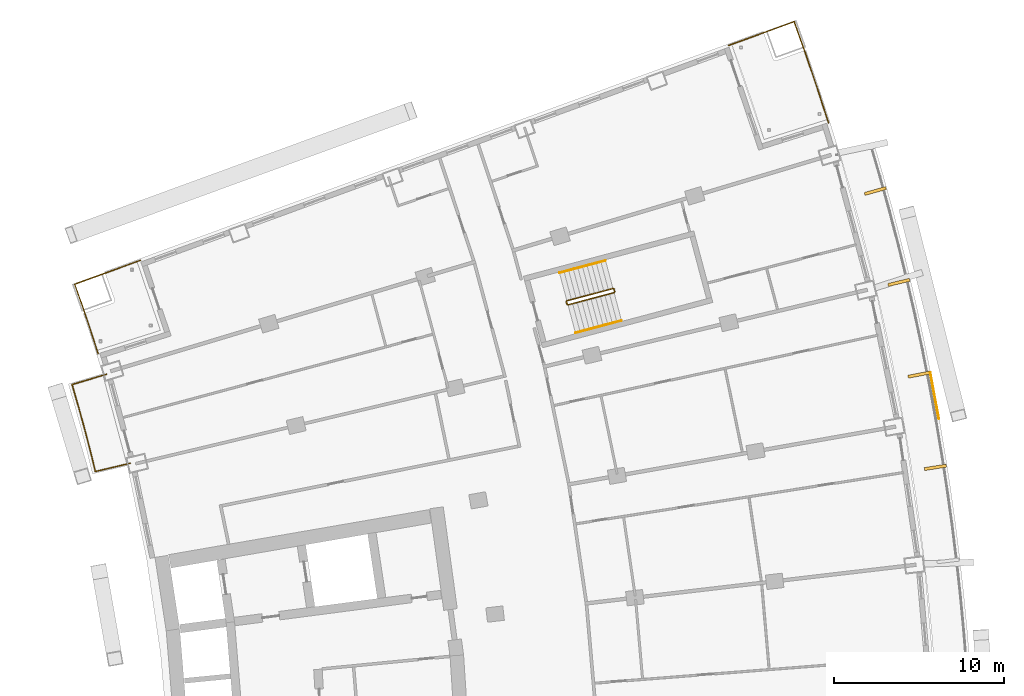
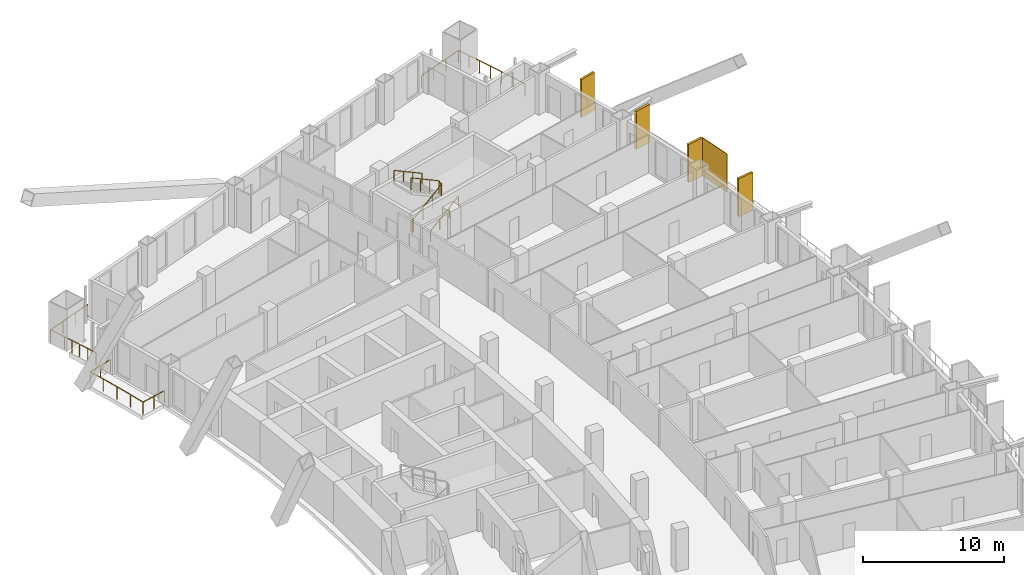
# One storey, part 25 of 25: 6 railings, 5 shading devices.
"""IFC4 building model written with IfcOpenShell, lengths in metres."""

from ifc_helpers import new_model, si_unit, direction, frame, origin, origin_2d, place, context, subcontext, project, spatial, rectangle, extrude, material, layer, layer_set, type_object, element, save


model = new_model("IFC4")

# Units and contexts
model_context = context("Model", 3, precision=1e-05, world=origin(), true_north=direction((0.0, 1.0)))
body_context = subcontext(model_context, "Body", "Model", "MODEL_VIEW")
ifc_project = project(units=[si_unit("LENGTHUNIT", "METRE"), si_unit("AREAUNIT", "SQUARE_METRE"), si_unit("VOLUMEUNIT", "CUBIC_METRE"), si_unit("PLANEANGLEUNIT", "RADIAN"), si_unit("MASSUNIT", "GRAM", prefix="KILO")], contexts=[model_context])

# Site, building, storey
site_placement = place(None, origin())
site = spatial("IfcSite", under=ifc_project, at=site_placement, CompositionType="ELEMENT")
building_placement = place(site_placement, origin())
building = spatial("IfcBuilding", under=site, at=building_placement, Name="Alderwake Tower", CompositionType="ELEMENT")
storey_placement = place(building_placement, frame((0.0, 0.0, 114.800048828125)))
storey = spatial("IfcBuildingStorey", under=building, at=storey_placement, Name="L28", CompositionType="ELEMENT", Elevation=114.800048828125)

# Railings
ifc_material_1 = material(Name="Stainless steel 316 rail and posts", Category="steel")
railing_type_1 = type_object("IfcRailingType", Name="Balcony guard 1100", PredefinedType="GUARDRAIL", material=ifc_material_1)
railing_1_placement = place(storey_placement, frame((13.5693359375, 83.343017578125, 0.0)))
element("IfcRailing", 1, at=railing_1_placement, inside=storey, type_object=railing_type_1, Name="Guard BR11", PredefinedType="GUARDRAIL", context=body_context, shape_type="SweptSolid", body=[
    extrude(rectangle(XDim=0.048095703125, YDim=0.048095703125, at=origin_2d()), frame((0.0, 0.0, 1.076171875), z_axis=(-0.972646310656, -0.232291098337, 0.0), x_axis=(0.232291098337, -0.972646310656, 0.0)), (0.0, 0.0, 1.0), 2.099853515625),
    extrude(rectangle(XDim=0.048095703125, YDim=0.048095703125, at=origin_2d()), frame((-2.04248046875, -0.48779296875, 1.076171875), z_axis=(-0.238877101641, 0.971049808358, 0.0), x_axis=(-0.971049808358, -0.238877101641, 0.0)), (0.0, 0.0, 1.0), 1.2724609375),
    extrude(rectangle(XDim=0.048095703125, YDim=0.048095703125, at=origin_2d()), frame((-2.346435546875, 0.747802734375, 1.076171875), z_axis=(-0.252487086228, 0.967600264204, 0.0), x_axis=(-0.967600264204, -0.252487086228, 0.0)), (0.0, 0.0, 1.0), 1.3720703125),
    extrude(rectangle(XDim=0.048095703125, YDim=0.048095703125, at=origin_2d()), frame((-2.69287109375, 2.075439453125, 1.076171875), z_axis=(-0.266487604617, 0.963838345671, 0.0), x_axis=(-0.963838345671, -0.266487604617, 0.0)), (0.0, 0.0, 1.0), 1.372314453125),
    extrude(rectangle(XDim=0.048095703125, YDim=0.048095703125, at=origin_2d()), frame((-3.05859375, 3.398193359375, 1.076171875), z_axis=(-0.279963157487, 0.960010744966, 0.0), x_axis=(-0.960010744966, -0.279963157487, 0.0)), (0.0, 0.0, 1.0), 1.272216796875),
    extrude(rectangle(XDim=0.048095703125, YDim=0.048095703125, at=origin_2d()), frame((-3.414794921875, 4.61962890625, 1.076171875), z_axis=(0.958091458885, 0.286462486918, 0.0), x_axis=(-0.286462486918, 0.958091458885, 0.0)), (0.0, 0.0, 1.0), 2.099853515625),
    extrude(rectangle(XDim=0.0419921875, YDim=0.0419921875, at=origin_2d()), frame((0.0, 0.0, 0.0), z_axis=(0.0, 0.0, 1.0), x_axis=(-0.972646310656, -0.232291098337, 0.0)), (0.0, 0.0, 1.0), 1.052001953125),
    extrude(rectangle(XDim=0.0419921875, YDim=0.0419921875, at=origin_2d()), frame((-1.021240234375, -0.243896484375, 0.0), z_axis=(0.0, 0.0, 1.0), x_axis=(-0.972646310656, -0.232291098337, 0.0)), (0.0, 0.0, 1.0), 1.052001953125),
    extrude(rectangle(XDim=0.0419921875, YDim=0.0419921875, at=origin_2d()), frame((-2.04248046875, -0.48779296875, 0.0), z_axis=(0.0, 0.0, 1.0), x_axis=(-0.238877101641, 0.971049808358, 0.0)), (0.0, 0.0, 1.0), 1.052001953125),
    extrude(rectangle(XDim=0.0419921875, YDim=0.0419921875, at=origin_2d()), frame((-2.346435546875, 0.747802734375, 0.0), z_axis=(0.0, 0.0, 1.0), x_axis=(-0.252487086228, 0.967600264204, 0.0)), (0.0, 0.0, 1.0), 1.052001953125),
    extrude(rectangle(XDim=0.0419921875, YDim=0.0419921875, at=origin_2d()), frame((-2.69287109375, 2.075439453125, 0.0), z_axis=(0.0, 0.0, 1.0), x_axis=(-0.266487604617, 0.963838345671, 0.0)), (0.0, 0.0, 1.0), 1.052001953125),
    extrude(rectangle(XDim=0.0419921875, YDim=0.0419921875, at=origin_2d()), frame((-3.05859375, 3.398193359375, 0.0), z_axis=(0.0, 0.0, 1.0), x_axis=(-0.279963157487, 0.960010744966, 0.0)), (0.0, 0.0, 1.0), 1.052001953125),
    extrude(rectangle(XDim=0.0419921875, YDim=0.0419921875, at=origin_2d()), frame((-3.414794921875, 4.61962890625, 0.0), z_axis=(0.0, 0.0, 1.0), x_axis=(0.958091458885, 0.286462486918, 0.0)), (0.0, 0.0, 1.0), 1.052001953125),
    extrude(rectangle(XDim=0.0419921875, YDim=0.0419921875, at=origin_2d()), frame((-2.40869140625, 4.92041015625, 0.0), z_axis=(0.0, 0.0, 1.0), x_axis=(0.958091458885, 0.286462486918, 0.0)), (0.0, 0.0, 1.0), 1.052001953125),
    extrude(rectangle(XDim=0.0419921875, YDim=0.0419921875, at=origin_2d()), frame((-1.40283203125, 5.22119140625, 0.0), z_axis=(0.0, 0.0, 1.0), x_axis=(0.958091458885, 0.286462486918, 0.0)), (0.0, 0.0, 1.0), 1.052001953125),
])
railing_2_placement = place(storey_placement, frame((54.594970703125, 103.348876953125, 0.0)))
element("IfcRailing", 2, at=railing_2_placement, inside=storey, type_object=railing_type_1, Name="Guard terrace FN", PredefinedType="GUARDRAIL", context=body_context, shape_type="SweptSolid", body=[
    extrude(rectangle(XDim=0.048095703125, YDim=0.048095703125, at=origin_2d()), frame((0.0, 0.0, 1.076171875), z_axis=(-0.307779974329, 0.951457559433, 0.0), x_axis=(-0.951457559433, -0.307779974329, 0.0)), (0.0, 0.0, 1.0), 2.257568359375),
    extrude(rectangle(XDim=0.048095703125, YDim=0.048095703125, at=origin_2d()), frame((-0.69482421875, 2.14794921875, 1.076171875), z_axis=(-0.322236651578, 0.946659146884, 0.0), x_axis=(-0.946659146884, -0.322236651578, 0.0)), (0.0, 0.0, 1.0), 2.057861328125),
    extrude(rectangle(XDim=0.048095703125, YDim=0.048095703125, at=origin_2d()), frame((-1.35791015625, 4.095947265625, 1.076171875), z_axis=(-0.335838646603, 0.941919531302, 0.0), x_axis=(-0.941919531302, -0.335838646603, 0.0)), (0.0, 0.0, 1.0), 1.957763671875),
    extrude(rectangle(XDim=0.048095703125, YDim=0.048095703125, at=origin_2d()), frame((-2.015380859375, 5.93994140625, 1.076171875), z_axis=(-0.939617696184, -0.342225926863, 0.0), x_axis=(0.342225926863, -0.939617696184, 0.0)), (0.0, 0.0, 1.0), 4.099853515625),
    extrude(rectangle(XDim=0.0419921875, YDim=0.0419921875, at=origin_2d()), frame((0.0, 0.0, 0.0), z_axis=(0.0, 0.0, 1.0), x_axis=(-0.307779974329, 0.951457559433, 0.0)), (0.0, 0.0, 1.0), 1.052001953125),
    extrude(rectangle(XDim=0.0419921875, YDim=0.0419921875, at=origin_2d()), frame((-0.347412109375, 1.073974609375, 0.0), z_axis=(0.0, 0.0, 1.0), x_axis=(-0.307779974329, 0.951457559433, 0.0)), (0.0, 0.0, 1.0), 1.052001953125),
    extrude(rectangle(XDim=0.0419921875, YDim=0.0419921875, at=origin_2d()), frame((-0.69482421875, 2.14794921875, 0.0), z_axis=(0.0, 0.0, 1.0), x_axis=(-0.322236651578, 0.946659146884, 0.0)), (0.0, 0.0, 1.0), 1.052001953125),
    extrude(rectangle(XDim=0.0419921875, YDim=0.0419921875, at=origin_2d()), frame((-1.0263671875, 3.1220703125, 0.0), z_axis=(0.0, 0.0, 1.0), x_axis=(-0.322236651578, 0.946659146884, 0.0)), (0.0, 0.0, 1.0), 1.052001953125),
    extrude(rectangle(XDim=0.0419921875, YDim=0.0419921875, at=origin_2d()), frame((-1.35791015625, 4.095947265625, 0.0), z_axis=(0.0, 0.0, 1.0), x_axis=(-0.335838646603, 0.941919531302, 0.0)), (0.0, 0.0, 1.0), 1.052001953125),
    extrude(rectangle(XDim=0.0419921875, YDim=0.0419921875, at=origin_2d()), frame((-1.6865234375, 5.01806640625, 0.0), z_axis=(0.0, 0.0, 1.0), x_axis=(-0.335838646603, 0.941919531302, 0.0)), (0.0, 0.0, 1.0), 1.052001953125),
    extrude(rectangle(XDim=0.0419921875, YDim=0.0419921875, at=origin_2d()), frame((-2.015380859375, 5.93994140625, 0.0), z_axis=(0.0, 0.0, 1.0), x_axis=(-0.939617696184, -0.342225926863, 0.0)), (0.0, 0.0, 1.0), 1.052001953125),
    extrude(rectangle(XDim=0.0419921875, YDim=0.0419921875, at=origin_2d()), frame((-3.299560546875, 5.47216796875, 0.0), z_axis=(0.0, 0.0, 1.0), x_axis=(-0.939617696184, -0.342225926863, 0.0)), (0.0, 0.0, 1.0), 1.052001953125),
    extrude(rectangle(XDim=0.0419921875, YDim=0.0419921875, at=origin_2d()), frame((-4.58349609375, 5.004638671875, 0.0), z_axis=(0.0, 0.0, 1.0), x_axis=(-0.939617696184, -0.342225926863, 0.0)), (0.0, 0.0, 1.0), 1.052001953125),
    extrude(rectangle(XDim=0.0419921875, YDim=0.0419921875, at=origin_2d()), frame((-5.86767578125, 4.536865234375, 0.0), z_axis=(0.0, 0.0, 1.0), x_axis=(-0.939617696184, -0.342225926863, 0.0)), (0.0, 0.0, 1.0), 1.052001953125),
])
railing_3_placement = place(storey_placement, frame((11.688720703125, 89.781982421875, 0.0)))
element("IfcRailing", 3, at=railing_3_placement, inside=storey, type_object=railing_type_1, Name="Guard terrace RN", PredefinedType="GUARDRAIL", context=body_context, shape_type="SweptSolid", body=[
    extrude(rectangle(XDim=0.048095703125, YDim=0.048095703125, at=origin_2d()), frame((0.0, 0.0, 1.076171875), z_axis=(-0.307479326145, 0.951554761426, 0.0), x_axis=(-0.951554761426, -0.307479326145, 0.0)), (0.0, 0.0, 1.0), 1.6015625),
    extrude(rectangle(XDim=0.048095703125, YDim=0.048095703125, at=origin_2d()), frame((-0.492431640625, 1.52392578125, 1.076171875), z_axis=(-0.322283727344, 0.946643121292, 0.0), x_axis=(-0.946643121292, -0.322283727344, 0.0)), (0.0, 0.0, 1.0), 1.4013671875),
    extrude(rectangle(XDim=0.048095703125, YDim=0.048095703125, at=origin_2d()), frame((-0.944091796875, 2.8505859375, 1.076171875), z_axis=(-0.335468607403, 0.942051385778, 0.0), x_axis=(-0.942051385778, -0.335468607403, 0.0)), (0.0, 0.0, 1.0), 1.30126953125),
    extrude(rectangle(XDim=0.048095703125, YDim=0.048095703125, at=origin_2d()), frame((-1.380615234375, 4.076416015625, 1.076171875), z_axis=(0.939708203232, 0.341977327873, 0.0), x_axis=(-0.341977327873, 0.939708203232, 0.0)), (0.0, 0.0, 1.0), 4.10009765625),
    extrude(rectangle(XDim=0.0419921875, YDim=0.0419921875, at=origin_2d()), frame((0.0, 0.0, 0.0), z_axis=(0.0, 0.0, 1.0), x_axis=(-0.307479326145, 0.951554761426, 0.0)), (0.0, 0.0, 1.0), 1.052001953125),
    extrude(rectangle(XDim=0.0419921875, YDim=0.0419921875, at=origin_2d()), frame((-0.24609375, 0.761962890625, 0.0), z_axis=(0.0, 0.0, 1.0), x_axis=(-0.307479326145, 0.951554761426, 0.0)), (0.0, 0.0, 1.0), 1.052001953125),
    extrude(rectangle(XDim=0.0419921875, YDim=0.0419921875, at=origin_2d()), frame((-0.492431640625, 1.52392578125, 0.0), z_axis=(0.0, 0.0, 1.0), x_axis=(-0.322283727344, 0.946643121292, 0.0)), (0.0, 0.0, 1.0), 1.052001953125),
    extrude(rectangle(XDim=0.0419921875, YDim=0.0419921875, at=origin_2d()), frame((-0.71826171875, 2.187255859375, 0.0), z_axis=(0.0, 0.0, 1.0), x_axis=(-0.322283727344, 0.946643121292, 0.0)), (0.0, 0.0, 1.0), 1.052001953125),
    extrude(rectangle(XDim=0.0419921875, YDim=0.0419921875, at=origin_2d()), frame((-0.944091796875, 2.8505859375, 0.0), z_axis=(0.0, 0.0, 1.0), x_axis=(-0.335468607403, 0.942051385778, 0.0)), (0.0, 0.0, 1.0), 1.052001953125),
    extrude(rectangle(XDim=0.0419921875, YDim=0.0419921875, at=origin_2d()), frame((-1.380615234375, 4.076416015625, 0.0), z_axis=(0.0, 0.0, 1.0), x_axis=(0.939708203232, 0.341977327873, 0.0)), (0.0, 0.0, 1.0), 1.052001953125),
    extrude(rectangle(XDim=0.0419921875, YDim=0.0419921875, at=origin_2d()), frame((-0.096435546875, 4.543701171875, 0.0), z_axis=(0.0, 0.0, 1.0), x_axis=(0.939708203232, 0.341977327873, 0.0)), (0.0, 0.0, 1.0), 1.052001953125),
    extrude(rectangle(XDim=0.0419921875, YDim=0.0419921875, at=origin_2d()), frame((1.18798828125, 5.01123046875, 0.0), z_axis=(0.0, 0.0, 1.0), x_axis=(0.939708203232, 0.341977327873, 0.0)), (0.0, 0.0, 1.0), 1.052001953125),
    extrude(rectangle(XDim=0.0419921875, YDim=0.0419921875, at=origin_2d()), frame((2.47216796875, 5.478515625, 0.0), z_axis=(0.0, 0.0, 1.0), x_axis=(0.939708203232, 0.341977327873, 0.0)), (0.0, 0.0, 1.0), 1.052001953125),
])

# Shading devices
ifc_material_2 = material(Name="Bronze anodised aluminium", Category="aluminium")
ifc_layer_1 = layer(ifc_material_2, 0.179931640625)
ifc_layer_set_1 = layer_set([ifc_layer_1], Name="Facade fin 1300")
shading_device_type_1 = type_object("IfcShadingDeviceType", Name="Facade fin 1300", PredefinedType="USERDEFINED", material=ifc_layer_set_1)
for number, where, z_axis, x_axis, name in (
    (4, (60.877197265625, 83.09912109375, 0.0), (0.0, 0.0, 1.0), (0.987918787879, 0.154972476771, 0.0), "Fin"),
    (5, (59.9140625, 88.547119140625, 0.0), (0.0, 0.0, 1.0), (0.981163751315, 0.193177879441, 0.0), "Fin"),
    (6, (58.73681640625, 93.967529296875, 0.0), (0.0, 0.0, 1.0), (0.972908790564, 0.231189284448, 0.0), "Fin"),
    (7, (57.349609375, 99.338134765625, 0.0), (0.0, 0.0, 1.0), (0.96318180783, 0.268850897459, 0.0), "Fin"),
):
    element("IfcShadingDevice", number, at=place(storey_placement, frame(where, z_axis=z_axis, x_axis=x_axis)), inside=storey, type_object=shading_device_type_1, Name=name, ObjectType="FIN", PredefinedType="USERDEFINED", context=body_context, shape_type="SweptSolid", body=[
        extrude(rectangle(XDim=1.300048828125, YDim=0.179931640625, at=origin_2d()), origin(), (0.0, 0.0, 1.0), 3.280029296875),
    ])
ifc_material_3 = material(Name="Perforated bronze anodised aluminium", Category="aluminium")
ifc_layer_2 = layer(ifc_material_3, 0.050048828125)
ifc_layer_set_2 = layer_set([ifc_layer_2], Name="Perforated screen panel")
shading_device_type_2 = type_object("IfcShadingDeviceType", Name="Perforated screen panel", PredefinedType="USERDEFINED", material=ifc_layer_set_2)
shading_device_placement = place(storey_placement, frame((60.83154296875, 87.3115234375, 0.0), z_axis=(0.0, 0.0, 1.0), x_axis=(0.982991488043, 0.183651121519, 0.0)))
element("IfcShadingDevice", 8, at=shading_device_placement, inside=storey, type_object=shading_device_type_2, Name="Screen panel", ObjectType="SCREEN", PredefinedType="USERDEFINED", context=body_context, shape_type="SweptSolid", body=[
    extrude(rectangle(XDim=0.050048828125, YDim=2.779541015625, at=origin_2d()), origin(), (0.0, 0.0, 1.0), 3.280029296875),
])

# Railings
ifc_material_4 = material(Name="Stainless steel guard", Category="steel")
railing_type_2 = type_object("IfcRailingType", Name="Stair guard 1100", PredefinedType="GUARDRAIL", material=ifc_material_4)
railing_4_placement = place(storey_placement, frame((39.23291015625, 92.6806640625, 0.0)))
element("IfcRailing", 9, at=railing_4_placement, inside=storey, type_object=railing_type_2, Name="L28 ST-A stair guard 1", PredefinedType="GUARDRAIL", context=body_context, shape_type="SweptSolid", body=[
    extrude(rectangle(XDim=0.048095703125, YDim=0.048095703125, at=origin_2d()), frame((0.0, 0.0, 1.076171875), z_axis=(-0.257055032184, 0.966396766566, 0.0), x_axis=(-0.966396766566, -0.257055032184, 0.0)), (0.0, 0.0, 1.0), 0.150146484375),
    extrude(rectangle(XDim=0.048095703125, YDim=0.048095703125, at=origin_2d()), frame((-0.03857421875, 0.14501953125, 1.076171875), z_axis=(0.379370725808, -0.685464465458, 0.621463047167), x_axis=(0.874937996095, 0.484234966715, 0.0)), (0.0, 0.0, 1.0), 0.26318359375),
    extrude(rectangle(XDim=0.048095703125, YDim=0.048095703125, at=origin_2d()), frame((0.061279296875, -0.035400390625, 1.23974609375), z_axis=(0.834258940753, 0.22222815314, 0.504605457487), x_axis=(-0.257402139082, 0.966304371715, 0.0)), (0.0, 0.0, 1.0), 3.2431640625),
    extrude(rectangle(XDim=0.048095703125, YDim=0.048095703125, at=origin_2d()), frame((2.766845703125, 0.685302734375, 2.8759765625), z_axis=(0.500220121494, 0.865898279276, 0.0), x_axis=(-0.865898279276, 0.500220121494, 0.0)), (0.0, 0.0, 1.0), 0.07080078125),
    extrude(rectangle(XDim=0.048095703125, YDim=0.048095703125, at=origin_2d()), frame((2.80224609375, 0.74658203125, 2.8759765625), z_axis=(-0.257459803502, 0.966289009345, 0.0), x_axis=(-0.966289009345, -0.257459803502, 0.0)), (0.0, 0.0, 1.0), 0.14990234375),
    extrude(rectangle(XDim=0.048095703125, YDim=0.048095703125, at=origin_2d()), frame((2.763671875, 0.891357421875, 2.8759765625), z_axis=(-0.34252489212, 0.200034536998, 0.917966710881), x_axis=(-0.504300490226, -0.863528236688, 0.0)), (0.0, 0.0, 1.0), 0.17822265625),
    extrude(rectangle(XDim=0.048095703125, YDim=0.048095703125, at=origin_2d()), frame((2.70263671875, 0.927001953125, 3.03955078125), z_axis=(-0.834313512087, -0.222222637163, 0.504517653885), x_axis=(0.257380452725, -0.966310148221, 0.0)), (0.0, 0.0, 1.0), 3.2431640625),
    extrude(rectangle(XDim=0.0419921875, YDim=0.0419921875, at=origin_2d()), frame((0.0, 0.0, 0.0), z_axis=(0.0, 0.0, 1.0), x_axis=(-0.257055032184, 0.966396766566, 0.0)), (0.0, 0.0, 1.0), 1.052001953125),
    extrude(rectangle(XDim=0.0419921875, YDim=0.0419921875, at=origin_2d()), frame((-0.03857421875, 0.14501953125, 0.0), z_axis=(0.0, 0.0, 1.0), x_axis=(0.484234966715, -0.874937996095, 0.0)), (0.0, 0.0, 1.0), 1.052001953125),
    extrude(rectangle(XDim=0.0419921875, YDim=0.0419921875, at=origin_2d()), frame((0.061279296875, -0.035400390625, 0.16357421875), z_axis=(0.0, 0.0, 1.0), x_axis=(0.966304371715, 0.257402139082, 0.0)), (0.0, 0.0, 1.0), 1.052001953125),
    extrude(rectangle(XDim=0.0419921875, YDim=0.0419921875, at=origin_2d()), frame((0.963134765625, 0.204833984375, 0.708984375), z_axis=(0.0, 0.0, 1.0), x_axis=(0.966304371715, 0.257402139082, 0.0)), (0.0, 0.0, 1.0), 1.052001953125),
    extrude(rectangle(XDim=0.0419921875, YDim=0.0419921875, at=origin_2d()), frame((1.864990234375, 0.445068359375, 1.254638671875), z_axis=(0.0, 0.0, 1.0), x_axis=(0.966304371715, 0.257402139082, 0.0)), (0.0, 0.0, 1.0), 1.052001953125),
    extrude(rectangle(XDim=0.0419921875, YDim=0.0419921875, at=origin_2d()), frame((2.766845703125, 0.685302734375, 1.800048828125), z_axis=(0.0, 0.0, 1.0), x_axis=(0.500220121494, 0.865898279276, 0.0)), (0.0, 0.0, 1.0), 1.052001953125),
    extrude(rectangle(XDim=0.0419921875, YDim=0.0419921875, at=origin_2d()), frame((2.80224609375, 0.74658203125, 1.800048828125), z_axis=(0.0, 0.0, 1.0), x_axis=(-0.257459803502, 0.966289009345, 0.0)), (0.0, 0.0, 1.0), 1.052001953125),
    extrude(rectangle(XDim=0.0419921875, YDim=0.0419921875, at=origin_2d()), frame((2.763671875, 0.891357421875, 1.800048828125), z_axis=(0.0, 0.0, 1.0), x_axis=(-0.863528236688, 0.504300490226, 0.0)), (0.0, 0.0, 1.0), 1.052001953125),
    extrude(rectangle(XDim=0.0419921875, YDim=0.0419921875, at=origin_2d()), frame((2.70263671875, 0.927001953125, 1.963623046875), z_axis=(0.0, 0.0, 1.0), x_axis=(-0.966310148221, -0.257380452725, 0.0)), (0.0, 0.0, 1.0), 1.052001953125),
    extrude(rectangle(XDim=0.0419921875, YDim=0.0419921875, at=origin_2d()), frame((1.80078125, 0.686767578125, 2.509033203125), z_axis=(0.0, 0.0, 1.0), x_axis=(-0.966310148221, -0.257380452725, 0.0)), (0.0, 0.0, 1.0), 1.052001953125),
    extrude(rectangle(XDim=0.0419921875, YDim=0.0419921875, at=origin_2d()), frame((0.898681640625, 0.446533203125, 3.054443359375), z_axis=(0.0, 0.0, 1.0), x_axis=(-0.966310148221, -0.257380452725, 0.0)), (0.0, 0.0, 1.0), 1.052001953125),
    extrude(rectangle(XDim=0.0419921875, YDim=0.0419921875, at=origin_2d()), frame((-0.003173828125, 0.206298828125, 3.599853515625), z_axis=(0.0, 0.0, 1.0), x_axis=(-0.966310148221, -0.257380452725, 0.0)), (0.0, 0.0, 1.0), 1.052001953125),
])
ifc_material_5 = material(Name="Stainless steel handrail", Category="steel")
railing_type_3 = type_object("IfcRailingType", Name="Stair handrail 900", PredefinedType="HANDRAIL", material=ifc_material_5)
railing_5_placement = place(storey_placement, frame((39.731689453125, 91.002685546875, 0.16357421875)))
element("IfcRailing", 10, at=railing_5_placement, inside=storey, type_object=railing_type_3, Name="L28 ST-A stair handrail 1", PredefinedType="HANDRAIL", context=body_context, shape_type="SweptSolid", body=[
    extrude(rectangle(XDim=0.048095703125, YDim=0.048095703125, at=origin_2d()), frame((0.0, 0.0, 0.8759765625), z_axis=(0.834258940753, 0.22222815314, 0.504605457487), x_axis=(-0.257402139082, 0.966304371715, 0.0)), (0.0, 0.0, 1.0), 3.2431640625),
    extrude(rectangle(XDim=0.0419921875, YDim=0.0419921875, at=origin_2d()), frame((0.0, 0.0, 0.0), z_axis=(0.0, 0.0, 1.0), x_axis=(0.966304371715, 0.257402139082, 0.0)), (0.0, 0.0, 1.0), 0.851806640625),
    extrude(rectangle(XDim=0.0419921875, YDim=0.0419921875, at=origin_2d()), frame((0.90185546875, 0.240234375, 0.54541015625), z_axis=(0.0, 0.0, 1.0), x_axis=(0.966304371715, 0.257402139082, 0.0)), (0.0, 0.0, 1.0), 0.851806640625),
    extrude(rectangle(XDim=0.0419921875, YDim=0.0419921875, at=origin_2d()), frame((1.8037109375, 0.48046875, 1.091064453125), z_axis=(0.0, 0.0, 1.0), x_axis=(0.966304371715, 0.257402139082, 0.0)), (0.0, 0.0, 1.0), 0.851806640625),
    extrude(rectangle(XDim=0.0419921875, YDim=0.0419921875, at=origin_2d()), frame((2.70556640625, 0.720703125, 1.636474609375), z_axis=(0.0, 0.0, 1.0), x_axis=(0.966304371715, 0.257402139082, 0.0)), (0.0, 0.0, 1.0), 0.851806640625),
])
railing_6_placement = place(storey_placement, frame((41.497802734375, 95.250244140625, 1.963623046875)))
element("IfcRailing", 11, at=railing_6_placement, inside=storey, type_object=railing_type_3, Name="L28 ST-A stair handrail 2", PredefinedType="HANDRAIL", context=body_context, shape_type="SweptSolid", body=[
    extrude(rectangle(XDim=0.048095703125, YDim=0.048095703125, at=origin_2d()), frame((0.0, 0.0, 0.8759765625), z_axis=(-0.834290631165, -0.222236594766, 0.504549342183), x_axis=(0.257402139082, -0.966304371715, 0.0)), (0.0, 0.0, 1.0), 3.242919921875),
    extrude(rectangle(XDim=0.0419921875, YDim=0.0419921875, at=origin_2d()), frame((0.0, 0.0, 0.0), z_axis=(0.0, 0.0, 1.0), x_axis=(-0.966304371715, -0.257402139082, 0.0)), (0.0, 0.0, 1.0), 0.851806640625),
    extrude(rectangle(XDim=0.0419921875, YDim=0.0419921875, at=origin_2d()), frame((-0.90185546875, -0.240234375, 0.54541015625), z_axis=(0.0, 0.0, 1.0), x_axis=(-0.966304371715, -0.257402139082, 0.0)), (0.0, 0.0, 1.0), 0.851806640625),
    extrude(rectangle(XDim=0.0419921875, YDim=0.0419921875, at=origin_2d()), frame((-1.8037109375, -0.48046875, 1.0908203125), z_axis=(0.0, 0.0, 1.0), x_axis=(-0.966304371715, -0.257402139082, 0.0)), (0.0, 0.0, 1.0), 0.851806640625),
    extrude(rectangle(XDim=0.0419921875, YDim=0.0419921875, at=origin_2d()), frame((-2.70556640625, -0.720703125, 1.63623046875), z_axis=(0.0, 0.0, 1.0), x_axis=(-0.966304371715, -0.257402139082, 0.0)), (0.0, 0.0, 1.0), 0.851806640625),
])

save(model, "model.ifc")
